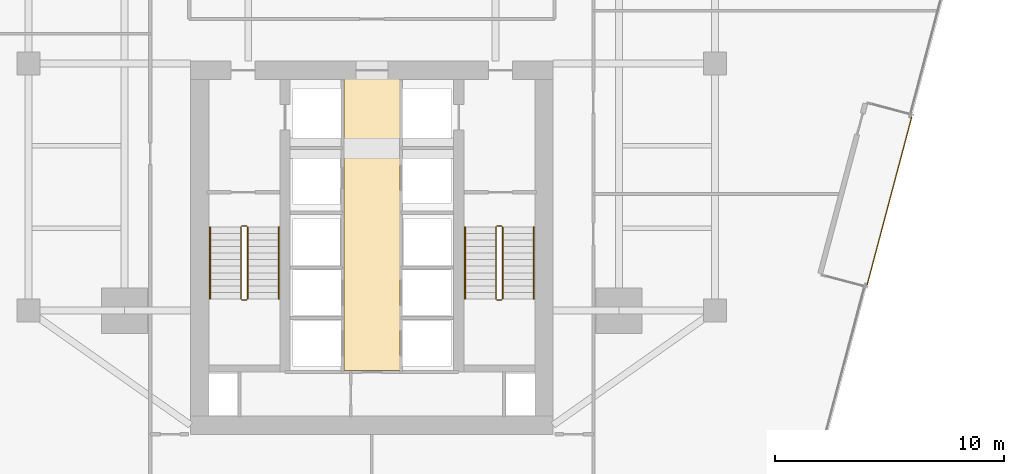
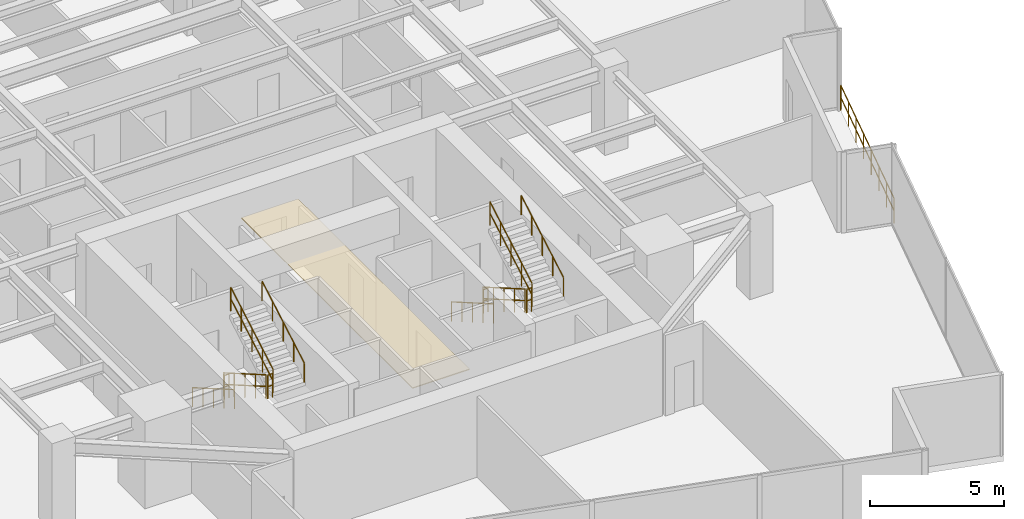
# One storey, part 26 of 27: 13 railings, 1 covering.
"""IFC4 building model written with IfcOpenShell, lengths in metres."""

from ifc_helpers import new_model, si_unit, direction, frame, origin, origin_2d, place, context, subcontext, project, spatial, polyline, circle, outline, extrude, material, layer, layer_set, type_object, element, save


model = new_model("IFC4")

# Units and contexts
model_context = context("Model", 3, precision=1e-05, world=origin(), true_north=direction((0.0, 1.0)))
body_context = subcontext(model_context, "Body", "Model", "MODEL_VIEW")
ifc_project = project(units=[si_unit("LENGTHUNIT", "METRE"), si_unit("AREAUNIT", "SQUARE_METRE"), si_unit("VOLUMEUNIT", "CUBIC_METRE"), si_unit("PLANEANGLEUNIT", "RADIAN"), si_unit("MASSUNIT", "GRAM", prefix="KILO")], contexts=[model_context])

# Site, building, storey
site_placement = place(None, origin())
site = spatial("IfcSite", under=ifc_project, at=site_placement, CompositionType="ELEMENT")
building_placement = place(site_placement, origin())
building = spatial("IfcBuilding", under=site, at=building_placement, Name="Krantzveldt Concourse Tower", CompositionType="ELEMENT")
storey_placement = place(building_placement, frame((0.0, 0.0, 97.949951171875)))
storey = spatial("IfcBuildingStorey", under=building, at=storey_placement, Name="L23", CompositionType="ELEMENT", Elevation=97.949951171875)

# Covering
ifc_material_1 = material(Name="Perforated acoustic mineral-fibre ceiling tile", Category="ceiling")
ifc_layer_1 = layer(ifc_material_1, 0.0400390625, Name="Perforated acoustic mineral-fibre ceiling tile", Category="ceiling")
ifc_layer_set_1 = layer_set([ifc_layer_1], Name="Perforated acoustic mineral-fibre ceiling tile (COV-CEIL-ACOUSTIC)")
covering_type = type_object("IfcCoveringType", Name="COV-CEIL-ACOUSTIC", PredefinedType="CEILING", material=ifc_layer_set_1)
covering_placement = place(storey_placement, frame((0.0, 0.0, 2.75)))
element("IfcCovering", 1, at=covering_placement, inside=storey, type_object=covering_type, Name="CLG-L23-LLB", PredefinedType="CEILING", context=body_context, shape_type="SweptSolid", body=[
    extrude(outline(polyline([(37.22509765625, 13.27490234375), (34.77490234375, 13.27490234375), (34.77490234375, 26.044921875), (37.22509765625, 26.044921875), (37.22509765625, 13.27490234375)])), origin(), (0.0, 0.0, 1.0), 0.0400390625),
])

# Railings
ifc_material_2 = material(Name="Stainless steel 316L", Category="steel")
ifc_layer_2 = layer(ifc_material_2, 0.080078125, Name="Stainless steel 316L", Category="steel")
ifc_layer_set_2 = layer_set([ifc_layer_2], Name="Stainless steel 316L (RL-BALUSTRADE-1150)")
railing_type_1 = type_object("IfcRailingType", Name="RL-BALUSTRADE-1150", PredefinedType="BALUSTRADE", material=ifc_layer_set_2)
railing_1_placement = place(storey_placement, frame((57.640380859375, 17.020263671875, 0.0)))
element("IfcRailing", 2, at=railing_1_placement, inside=storey, type_object=railing_type_1, Name="GD-L23-CTER-01", PredefinedType="BALUSTRADE", context=body_context, shape_type="SweptSolid", body=[
    extrude(circle(Radius=0.02392578125, at=origin_2d()), frame((0.0, 0.0, 1.1259765625), z_axis=(0.256696825247, 0.966491976122, 0.0), x_axis=(-0.966491976122, 0.256696825247, 0.0)), (0.0, 0.0, 1.0), 7.60009765625),
    extrude(circle(Radius=0.02392578125, at=origin_2d()), frame((0.0, 0.0, 0.574951171875), z_axis=(0.256696825247, 0.966491976122, 0.0), x_axis=(-0.966491976122, 0.256696825247, 0.0)), (0.0, 0.0, 1.0), 7.60009765625),
    extrude(circle(Radius=0.02099609375, at=origin_2d()), origin(), (0.0, 0.0, 1.0), 1.101806640625),
    extrude(circle(Radius=0.02099609375, at=origin_2d()), frame((0.27880859375, 1.04931640625, 0.0)), (0.0, 0.0, 1.0), 1.101806640625),
    extrude(circle(Radius=0.02099609375, at=origin_2d()), frame((0.557373046875, 2.0986328125, 0.0)), (0.0, 0.0, 1.0), 1.101806640625),
    extrude(circle(Radius=0.02099609375, at=origin_2d()), frame((0.836181640625, 3.14794921875, 0.0)), (0.0, 0.0, 1.0), 1.101806640625),
    extrude(circle(Radius=0.02099609375, at=origin_2d()), frame((1.11474609375, 4.197509765625, 0.0)), (0.0, 0.0, 1.0), 1.101806640625),
    extrude(circle(Radius=0.02099609375, at=origin_2d()), frame((1.3935546875, 5.246826171875, 0.0)), (0.0, 0.0, 1.0), 1.101806640625),
    extrude(circle(Radius=0.02099609375, at=origin_2d()), frame((1.672119140625, 6.296142578125, 0.0)), (0.0, 0.0, 1.0), 1.101806640625),
    extrude(circle(Radius=0.02099609375, at=origin_2d()), frame((1.950927734375, 7.345458984375, 0.0)), (0.0, 0.0, 1.0), 1.101806640625),
])
ifc_layer_3 = layer(ifc_material_2, 0.06005859375, Name="Stainless steel 316L", Category="steel")
ifc_layer_set_3 = layer_set([ifc_layer_3], Name="Stainless steel 316L (RL-GUARD-1120)")
railing_type_2 = type_object("IfcRailingType", Name="RL-GUARD-1120", PredefinedType="GUARDRAIL", material=ifc_layer_set_3)
railing_2_placement = place(storey_placement, frame((30.280029296875, 19.550048828125, 0.16455078125)))
element("IfcRailing", 3, at=railing_2_placement, inside=storey, type_object=railing_type_2, Name="L23 ST-1 stair guard 1", PredefinedType="GUARDRAIL", context=body_context, shape_type="SweptSolid", body=[
    extrude(circle(Radius=0.02392578125, at=origin_2d()), frame((0.0, 0.0, 1.076171875), z_axis=(0.0, -0.865959834175, 0.500113552702), x_axis=(1.0, 0.0, 0.0)), (0.0, 0.0, 1.0), 3.620361328125),
    extrude(circle(Radius=0.02392578125, at=origin_2d()), frame((0.0, 0.0, 0.550048828125), z_axis=(0.0, -0.865959834175, 0.500113552702), x_axis=(1.0, 0.0, 0.0)), (0.0, 0.0, 1.0), 3.620361328125),
    extrude(circle(Radius=0.02099609375, at=origin_2d()), origin(), (0.0, 0.0, 1.0), 1.052001953125),
    extrude(circle(Radius=0.02099609375, at=origin_2d()), frame((0.0, -0.78369140625, 0.45263671875)), (0.0, 0.0, 1.0), 1.052001953125),
    extrude(circle(Radius=0.02099609375, at=origin_2d()), frame((0.0, -1.5673828125, 0.9052734375)), (0.0, 0.0, 1.0), 1.052001953125),
    extrude(circle(Radius=0.02099609375, at=origin_2d()), frame((0.0, -2.351318359375, 1.35791015625)), (0.0, 0.0, 1.0), 1.052001953125),
    extrude(circle(Radius=0.02099609375, at=origin_2d()), frame((0.0, -3.135009765625, 1.810546875)), (0.0, 0.0, 1.0), 1.052001953125),
])
railing_3_placement = place(storey_placement, frame((30.330078125, 16.364990234375, 1.97509765625)))
element("IfcRailing", 4, at=railing_3_placement, inside=storey, type_object=railing_type_2, Name="L23 ST-1 stair guard 2", PredefinedType="GUARDRAIL", context=body_context, shape_type="SweptSolid", body=[
    extrude(circle(Radius=0.02392578125, at=origin_2d()), frame((0.0, 0.0, 1.076171875), z_axis=(1.0, 0.0, 0.0), x_axis=(0.0, 1.0, 0.0)), (0.0, 0.0, 1.0), 0.199951171875),
    extrude(circle(Radius=0.02392578125, at=origin_2d()), frame((0.0, 0.0, 0.550048828125), z_axis=(1.0, 0.0, 0.0), x_axis=(0.0, 1.0, 0.0)), (0.0, 0.0, 1.0), 0.199951171875),
    extrude(circle(Radius=0.02099609375, at=origin_2d()), origin(), (0.0, 0.0, 1.0), 1.052001953125),
    extrude(circle(Radius=0.02099609375, at=origin_2d()), frame((0.199951171875, 0.0, 0.0)), (0.0, 0.0, 1.0), 1.052001953125),
])
railing_4_placement = place(storey_placement, frame((30.580078125, 16.4150390625, 2.1396484375)))
element("IfcRailing", 5, at=railing_4_placement, inside=storey, type_object=railing_type_2, Name="L23 ST-1 stair guard 3", PredefinedType="GUARDRAIL", context=body_context, shape_type="SweptSolid", body=[
    extrude(circle(Radius=0.02392578125, at=origin_2d()), frame((0.0, 0.0, 1.076171875), z_axis=(0.0, 0.865989039225, 0.500062979975), x_axis=(-1.0, 0.0, 0.0)), (0.0, 0.0, 1.0), 3.6201171875),
    extrude(circle(Radius=0.02392578125, at=origin_2d()), frame((0.0, 0.0, 0.550048828125), z_axis=(0.0, 0.865989039225, 0.500062979975), x_axis=(-1.0, 0.0, 0.0)), (0.0, 0.0, 1.0), 3.6201171875),
    extrude(circle(Radius=0.02099609375, at=origin_2d()), origin(), (0.0, 0.0, 1.0), 1.052001953125),
    extrude(circle(Radius=0.02099609375, at=origin_2d()), frame((0.0, 0.78369140625, 0.45263671875)), (0.0, 0.0, 1.0), 1.052001953125),
    extrude(circle(Radius=0.02099609375, at=origin_2d()), frame((0.0, 1.5673828125, 0.9052734375)), (0.0, 0.0, 1.0), 1.052001953125),
    extrude(circle(Radius=0.02099609375, at=origin_2d()), frame((0.0, 2.351318359375, 1.357666015625)), (0.0, 0.0, 1.0), 1.052001953125),
    extrude(circle(Radius=0.02099609375, at=origin_2d()), frame((0.0, 3.135009765625, 1.810302734375)), (0.0, 0.0, 1.0), 1.052001953125),
])
railing_5_placement = place(storey_placement, frame((30.330078125, 19.60009765625, 0.0)))
element("IfcRailing", 6, at=railing_5_placement, inside=storey, type_object=railing_type_2, Name="L23 ST-1 stair guard 4", PredefinedType="GUARDRAIL", context=body_context, shape_type="SweptSolid", body=[
    extrude(circle(Radius=0.02392578125, at=origin_2d()), frame((0.0, 0.0, 1.076171875), z_axis=(1.0, 0.0, 0.0), x_axis=(0.0, 1.0, 0.0)), (0.0, 0.0, 1.0), 0.199951171875),
    extrude(circle(Radius=0.02392578125, at=origin_2d()), frame((0.0, 0.0, 0.550048828125), z_axis=(1.0, 0.0, 0.0), x_axis=(0.0, 1.0, 0.0)), (0.0, 0.0, 1.0), 0.199951171875),
    extrude(circle(Radius=0.02099609375, at=origin_2d()), origin(), (0.0, 0.0, 1.0), 1.052001953125),
    extrude(circle(Radius=0.02099609375, at=origin_2d()), frame((0.199951171875, 0.0, 0.0)), (0.0, 0.0, 1.0), 1.052001953125),
])
railing_6_placement = place(storey_placement, frame((41.419921875, 19.550048828125, 0.16455078125)))
element("IfcRailing", 7, at=railing_6_placement, inside=storey, type_object=railing_type_2, Name="L23 ST-2 stair guard 1", PredefinedType="GUARDRAIL", context=body_context, shape_type="SweptSolid", body=[
    extrude(circle(Radius=0.02392578125, at=origin_2d()), frame((0.0, 0.0, 1.076171875), z_axis=(0.0, -0.865959834175, 0.500113552702), x_axis=(1.0, 0.0, 0.0)), (0.0, 0.0, 1.0), 3.620361328125),
    extrude(circle(Radius=0.02392578125, at=origin_2d()), frame((0.0, 0.0, 0.550048828125), z_axis=(0.0, -0.865959834175, 0.500113552702), x_axis=(1.0, 0.0, 0.0)), (0.0, 0.0, 1.0), 3.620361328125),
    extrude(circle(Radius=0.02099609375, at=origin_2d()), origin(), (0.0, 0.0, 1.0), 1.052001953125),
    extrude(circle(Radius=0.02099609375, at=origin_2d()), frame((0.0, -0.78369140625, 0.45263671875)), (0.0, 0.0, 1.0), 1.052001953125),
    extrude(circle(Radius=0.02099609375, at=origin_2d()), frame((0.0, -1.5673828125, 0.9052734375)), (0.0, 0.0, 1.0), 1.052001953125),
    extrude(circle(Radius=0.02099609375, at=origin_2d()), frame((0.0, -2.351318359375, 1.35791015625)), (0.0, 0.0, 1.0), 1.052001953125),
    extrude(circle(Radius=0.02099609375, at=origin_2d()), frame((0.0, -3.135009765625, 1.810546875)), (0.0, 0.0, 1.0), 1.052001953125),
])
railing_7_placement = place(storey_placement, frame((41.469970703125, 16.364990234375, 1.97509765625)))
element("IfcRailing", 8, at=railing_7_placement, inside=storey, type_object=railing_type_2, Name="L23 ST-2 stair guard 2", PredefinedType="GUARDRAIL", context=body_context, shape_type="SweptSolid", body=[
    extrude(circle(Radius=0.02392578125, at=origin_2d()), frame((0.0, 0.0, 1.076171875), z_axis=(1.0, 0.0, 0.0), x_axis=(0.0, 1.0, 0.0)), (0.0, 0.0, 1.0), 0.199951171875),
    extrude(circle(Radius=0.02392578125, at=origin_2d()), frame((0.0, 0.0, 0.550048828125), z_axis=(1.0, 0.0, 0.0), x_axis=(0.0, 1.0, 0.0)), (0.0, 0.0, 1.0), 0.199951171875),
    extrude(circle(Radius=0.02099609375, at=origin_2d()), origin(), (0.0, 0.0, 1.0), 1.052001953125),
    extrude(circle(Radius=0.02099609375, at=origin_2d()), frame((0.199951171875, 0.0, 0.0)), (0.0, 0.0, 1.0), 1.052001953125),
])
railing_8_placement = place(storey_placement, frame((41.719970703125, 16.4150390625, 2.1396484375)))
element("IfcRailing", 9, at=railing_8_placement, inside=storey, type_object=railing_type_2, Name="L23 ST-2 stair guard 3", PredefinedType="GUARDRAIL", context=body_context, shape_type="SweptSolid", body=[
    extrude(circle(Radius=0.02392578125, at=origin_2d()), frame((0.0, 0.0, 1.076171875), z_axis=(0.0, 0.865989039225, 0.500062979975), x_axis=(-1.0, 0.0, 0.0)), (0.0, 0.0, 1.0), 3.6201171875),
    extrude(circle(Radius=0.02392578125, at=origin_2d()), frame((0.0, 0.0, 0.550048828125), z_axis=(0.0, 0.865989039225, 0.500062979975), x_axis=(-1.0, 0.0, 0.0)), (0.0, 0.0, 1.0), 3.6201171875),
    extrude(circle(Radius=0.02099609375, at=origin_2d()), origin(), (0.0, 0.0, 1.0), 1.052001953125),
    extrude(circle(Radius=0.02099609375, at=origin_2d()), frame((0.0, 0.78369140625, 0.45263671875)), (0.0, 0.0, 1.0), 1.052001953125),
    extrude(circle(Radius=0.02099609375, at=origin_2d()), frame((0.0, 1.5673828125, 0.9052734375)), (0.0, 0.0, 1.0), 1.052001953125),
    extrude(circle(Radius=0.02099609375, at=origin_2d()), frame((0.0, 2.351318359375, 1.357666015625)), (0.0, 0.0, 1.0), 1.052001953125),
    extrude(circle(Radius=0.02099609375, at=origin_2d()), frame((0.0, 3.135009765625, 1.810302734375)), (0.0, 0.0, 1.0), 1.052001953125),
])
railing_9_placement = place(storey_placement, frame((41.469970703125, 19.60009765625, 0.0)))
element("IfcRailing", 10, at=railing_9_placement, inside=storey, type_object=railing_type_2, Name="L23 ST-2 stair guard 4", PredefinedType="GUARDRAIL", context=body_context, shape_type="SweptSolid", body=[
    extrude(circle(Radius=0.02392578125, at=origin_2d()), frame((0.0, 0.0, 1.076171875), z_axis=(1.0, 0.0, 0.0), x_axis=(0.0, 1.0, 0.0)), (0.0, 0.0, 1.0), 0.199951171875),
    extrude(circle(Radius=0.02392578125, at=origin_2d()), frame((0.0, 0.0, 0.550048828125), z_axis=(1.0, 0.0, 0.0), x_axis=(0.0, 1.0, 0.0)), (0.0, 0.0, 1.0), 0.199951171875),
    extrude(circle(Radius=0.02099609375, at=origin_2d()), origin(), (0.0, 0.0, 1.0), 1.052001953125),
    extrude(circle(Radius=0.02099609375, at=origin_2d()), frame((0.199951171875, 0.0, 0.0)), (0.0, 0.0, 1.0), 1.052001953125),
])
ifc_layer_4 = layer(ifc_material_2, 0.050048828125, Name="Stainless steel 316L", Category="steel")
ifc_layer_set_4 = layer_set([ifc_layer_4], Name="Stainless steel 316L (RL-HANDRAIL-920)")
railing_type_3 = type_object("IfcRailingType", Name="RL-HANDRAIL-920", PredefinedType="HANDRAIL", material=ifc_layer_set_4)
railing_10_placement = place(storey_placement, frame((28.929931640625, 19.550048828125, 0.16455078125)))
element("IfcRailing", 11, at=railing_10_placement, inside=storey, type_object=railing_type_3, Name="L23 ST-1 stair handrail 1", PredefinedType="HANDRAIL", context=body_context, shape_type="SweptSolid", body=[
    extrude(circle(Radius=0.02392578125, at=origin_2d()), frame((0.0, 0.0, 0.8759765625), z_axis=(0.0, -0.865959834175, 0.500113552702), x_axis=(1.0, 0.0, 0.0)), (0.0, 0.0, 1.0), 3.620361328125),
    extrude(circle(Radius=0.02099609375, at=origin_2d()), origin(), (0.0, 0.0, 1.0), 0.851806640625),
    extrude(circle(Radius=0.02099609375, at=origin_2d()), frame((0.0, -0.78369140625, 0.45263671875)), (0.0, 0.0, 1.0), 0.851806640625),
    extrude(circle(Radius=0.02099609375, at=origin_2d()), frame((0.0, -1.5673828125, 0.9052734375)), (0.0, 0.0, 1.0), 0.851806640625),
    extrude(circle(Radius=0.02099609375, at=origin_2d()), frame((0.0, -2.351318359375, 1.35791015625)), (0.0, 0.0, 1.0), 0.851806640625),
    extrude(circle(Radius=0.02099609375, at=origin_2d()), frame((0.0, -3.135009765625, 1.810546875)), (0.0, 0.0, 1.0), 0.851806640625),
])
railing_11_placement = place(storey_placement, frame((31.929931640625, 16.4150390625, 2.1396484375)))
element("IfcRailing", 12, at=railing_11_placement, inside=storey, type_object=railing_type_3, Name="L23 ST-1 stair handrail 2", PredefinedType="HANDRAIL", context=body_context, shape_type="SweptSolid", body=[
    extrude(circle(Radius=0.02392578125, at=origin_2d()), frame((0.0, 0.0, 0.8759765625), z_axis=(0.0, 0.865989039225, 0.500062979975), x_axis=(-1.0, 0.0, 0.0)), (0.0, 0.0, 1.0), 3.6201171875),
    extrude(circle(Radius=0.02099609375, at=origin_2d()), origin(), (0.0, 0.0, 1.0), 0.851806640625),
    extrude(circle(Radius=0.02099609375, at=origin_2d()), frame((0.0, 0.78369140625, 0.45263671875)), (0.0, 0.0, 1.0), 0.851806640625),
    extrude(circle(Radius=0.02099609375, at=origin_2d()), frame((0.0, 1.5673828125, 0.9052734375)), (0.0, 0.0, 1.0), 0.851806640625),
    extrude(circle(Radius=0.02099609375, at=origin_2d()), frame((0.0, 2.351318359375, 1.357666015625)), (0.0, 0.0, 1.0), 0.851806640625),
    extrude(circle(Radius=0.02099609375, at=origin_2d()), frame((0.0, 3.135009765625, 1.810302734375)), (0.0, 0.0, 1.0), 0.851806640625),
])
railing_12_placement = place(storey_placement, frame((40.070068359375, 19.550048828125, 0.16455078125)))
element("IfcRailing", 13, at=railing_12_placement, inside=storey, type_object=railing_type_3, Name="L23 ST-2 stair handrail 1", PredefinedType="HANDRAIL", context=body_context, shape_type="SweptSolid", body=[
    extrude(circle(Radius=0.02392578125, at=origin_2d()), frame((0.0, 0.0, 0.8759765625), z_axis=(0.0, -0.865959834175, 0.500113552702), x_axis=(1.0, 0.0, 0.0)), (0.0, 0.0, 1.0), 3.620361328125),
    extrude(circle(Radius=0.02099609375, at=origin_2d()), origin(), (0.0, 0.0, 1.0), 0.851806640625),
    extrude(circle(Radius=0.02099609375, at=origin_2d()), frame((0.0, -0.78369140625, 0.45263671875)), (0.0, 0.0, 1.0), 0.851806640625),
    extrude(circle(Radius=0.02099609375, at=origin_2d()), frame((0.0, -1.5673828125, 0.9052734375)), (0.0, 0.0, 1.0), 0.851806640625),
    extrude(circle(Radius=0.02099609375, at=origin_2d()), frame((0.0, -2.351318359375, 1.35791015625)), (0.0, 0.0, 1.0), 0.851806640625),
    extrude(circle(Radius=0.02099609375, at=origin_2d()), frame((0.0, -3.135009765625, 1.810546875)), (0.0, 0.0, 1.0), 0.851806640625),
])
railing_13_placement = place(storey_placement, frame((43.070068359375, 16.4150390625, 2.1396484375)))
element("IfcRailing", 14, at=railing_13_placement, inside=storey, type_object=railing_type_3, Name="L23 ST-2 stair handrail 2", PredefinedType="HANDRAIL", context=body_context, shape_type="SweptSolid", body=[
    extrude(circle(Radius=0.02392578125, at=origin_2d()), frame((0.0, 0.0, 0.8759765625), z_axis=(0.0, 0.865989039225, 0.500062979975), x_axis=(-1.0, 0.0, 0.0)), (0.0, 0.0, 1.0), 3.6201171875),
    extrude(circle(Radius=0.02099609375, at=origin_2d()), origin(), (0.0, 0.0, 1.0), 0.851806640625),
    extrude(circle(Radius=0.02099609375, at=origin_2d()), frame((0.0, 0.78369140625, 0.45263671875)), (0.0, 0.0, 1.0), 0.851806640625),
    extrude(circle(Radius=0.02099609375, at=origin_2d()), frame((0.0, 1.5673828125, 0.9052734375)), (0.0, 0.0, 1.0), 0.851806640625),
    extrude(circle(Radius=0.02099609375, at=origin_2d()), frame((0.0, 2.351318359375, 1.357666015625)), (0.0, 0.0, 1.0), 0.851806640625),
    extrude(circle(Radius=0.02099609375, at=origin_2d()), frame((0.0, 3.135009765625, 1.810302734375)), (0.0, 0.0, 1.0), 0.851806640625),
])

save(model, "model.ifc")
